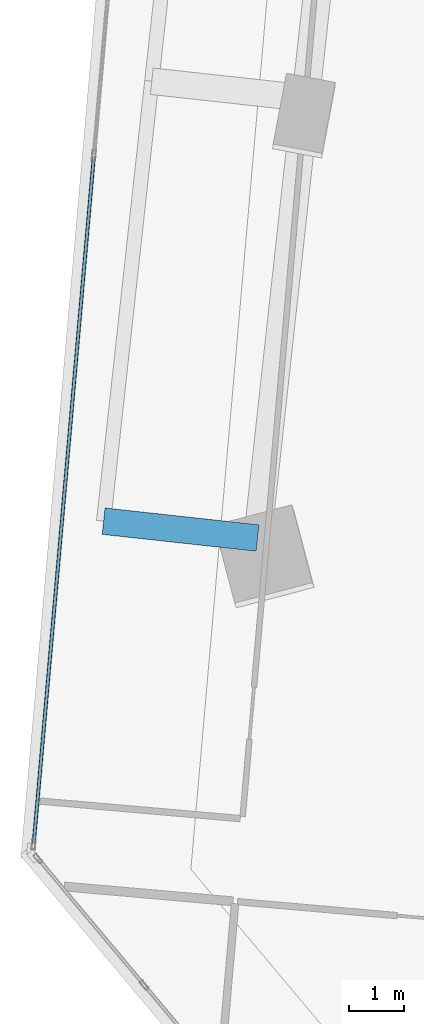
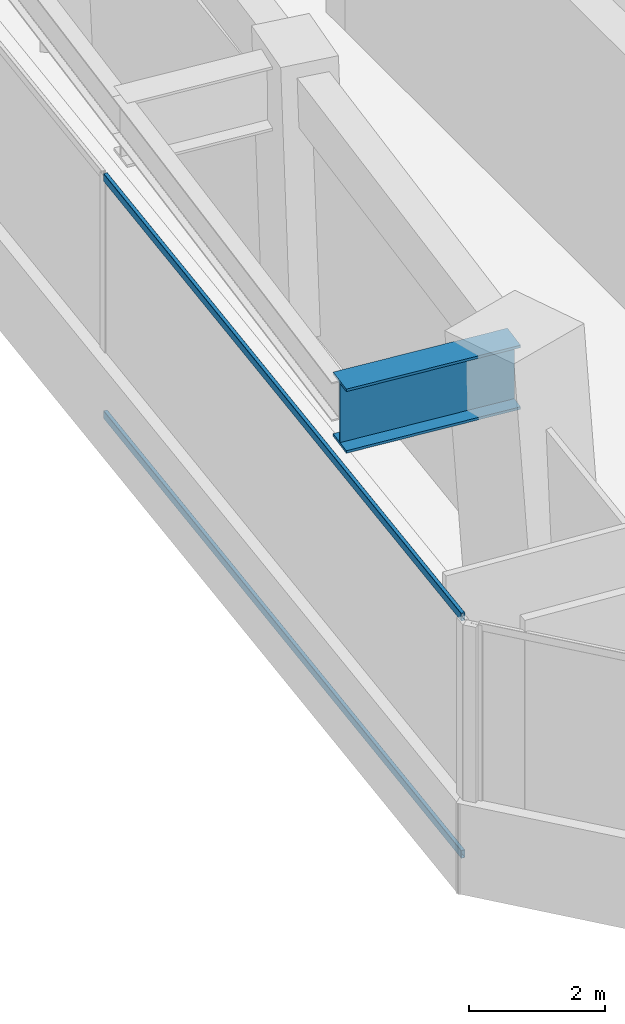
# One storey, part 4 of 24: 2 members, 1 beam, 1 element without a shape of its own.
"""IFC4 building model written with IfcOpenShell, lengths in metres."""

from ifc_helpers import new_model, si_unit, direction, frame, origin, origin_2d, place, context, subcontext, project, spatial, hollow_rectangle, i_section, extrude, source, transform, mapped, material, material_profile, profile_set, type_object, element, aggregate, save


model = new_model("IFC4")

# Units and contexts
model_context = context("Model", 3, precision=1e-05, world=origin(), true_north=direction((0.0, 1.0)))
body_context = subcontext(model_context, "Body", "Model", "MODEL_VIEW")
ifc_project = project(units=[si_unit("LENGTHUNIT", "METRE"), si_unit("AREAUNIT", "SQUARE_METRE"), si_unit("VOLUMEUNIT", "CUBIC_METRE"), si_unit("PLANEANGLEUNIT", "RADIAN"), si_unit("MASSUNIT", "GRAM", prefix="KILO")], contexts=[model_context])

# Site, building, storey
site_placement = place(None, origin())
site = spatial("IfcSite", under=ifc_project, at=site_placement, CompositionType="ELEMENT")
building_placement = place(site_placement, origin())
building = spatial("IfcBuilding", under=site, at=building_placement, Name="Torre Montelarca", CompositionType="ELEMENT")
storey_placement = place(building_placement, frame((0.0, 0.0, 52.0)))
storey = spatial("IfcBuildingStorey", under=building, at=storey_placement, Name="L11", CompositionType="ELEMENT", Elevation=52.0)

# Beam
ifc_material_1 = material(Name="Steel ASTM A572 Grade 50", Category="steel")
ifc_material_profile_1 = material_profile(ifc_material_1, i_section(OverallWidth=0.47998046875, OverallDepth=1.14990234375, WebThickness=0.02197265625, FlangeThickness=0.044921875, at=origin_2d()), Name="PG1150X480X22X45", Category="steel")
ifc_profile_set_1 = profile_set([ifc_material_profile_1], Name="Steel ASTM A572 Grade 50")
beam_type = type_object("IfcBeamType", Name="BM-CG-PG1400-EXT", PredefinedType="USERDEFINED", material=ifc_profile_set_1)
shared_shape_1 = source(origin(), body_context, "Body", "SweptSolid", [
    extrude(i_section(OverallWidth=0.47998046875, OverallDepth=1.14990234375, WebThickness=0.02197265625, FlangeThickness=0.044921875, at=origin_2d()), origin(), (0.0, 0.0, 1.0), 2.7998046875),
])
beam_placement = place(storey_placement, frame((3.879150390625, 25.882080078125, 3.985107421875), z_axis=(-0.994061084383, 0.108823529238, 0.0), x_axis=(-0.108823529238, -0.994061084383, 0.0)))
element("IfcBeam", 1, at=beam_placement, inside=storey, type_object=beam_type, Name="L11 Sliding Tray Cantilever Girder West Y=24.0m (FLR)", ObjectType="CANTILEVER GIRDER", PredefinedType="USERDEFINED", context=body_context, shape_type="MappedRepresentation", body=[
    mapped(shared_shape_1, transform((0.0, 0.0, 0.0), scale=1.0)),
])

# Curtain wall, members
ifc_material_2 = material(Name="Insulated low-E laminated glass", Category="glass")
curtain_wall_type = type_object("IfcCurtainWallType", Name="CW-SYS-Z1", PredefinedType="USERDEFINED", material=ifc_material_2)
curtain_wall_placement = place(storey_placement, origin())
curtain_wall = element("IfcCurtainWall", 2, at=curtain_wall_placement, inside=storey, type_object=curtain_wall_type, Name="L11 Curtain Wall Run CW-T3-L11-E10-B1", ObjectType="UNITISED GLAZING", PredefinedType="USERDEFINED")
ifc_material_3 = material(Name="Anodised aluminium AA 6063-T6", Category="aluminium")
ifc_material_profile_2 = material_profile(ifc_material_3, hollow_rectangle(XDim=0.06494140625, YDim=0.139892578125, WallThickness=0.00390625, InnerFilletRadius=0.00390625, OuterFilletRadius=0.008056640625, at=origin_2d()), Name="ALU65X140X4", Category="aluminium")
ifc_profile_set_2 = profile_set([ifc_material_profile_2], Name="Anodised aluminium AA 6063-T6")
member_type = type_object("IfcMemberType", Name="CWT-ALU140", PredefinedType="USERDEFINED", material=ifc_profile_set_2)
shared_shape_2 = source(origin(), body_context, "Body", "SweptSolid", [
    extrude(hollow_rectangle(XDim=0.06494140625, YDim=0.139892578125, WallThickness=0.00390625, InnerFilletRadius=0.00390625, OuterFilletRadius=0.008056640625, at=origin_2d()), origin(), (0.0, 0.0, 1.0), 12.4365234375),
])
member_1_placement = place(storey_placement, frame((0.918212890625, 32.76416015625, 0.032470703125), z_axis=(-0.087161592776, -0.996194186263, 0.0), x_axis=(0.996194186263, -0.087161592776, 0.0)))
member_1 = element("IfcMember", 3, at=member_1_placement, type_object=member_type, Name="CW transom 2.1", ObjectType="TRANSOM", PredefinedType="USERDEFINED", context=body_context, shape_type="MappedRepresentation", body=[
    mapped(shared_shape_2, transform((0.0, 0.0, 0.0), scale=1.0)),
])
member_2_placement = place(storey_placement, frame((0.918212890625, 32.76416015625, 4.28759765625), z_axis=(-0.087161592776, -0.996194186263, 0.0), x_axis=(0.996194186263, -0.087161592776, 0.0)))
member_2 = element("IfcMember", 4, at=member_2_placement, type_object=member_type, Name="CW transom 2.2", ObjectType="TRANSOM", PredefinedType="USERDEFINED", context=body_context, shape_type="MappedRepresentation", body=[
    mapped(shared_shape_2, transform((0.0, 0.0, 0.0), scale=1.0)),
])
aggregate(curtain_wall, [member_1, member_2])

save(model, "model.ifc")
